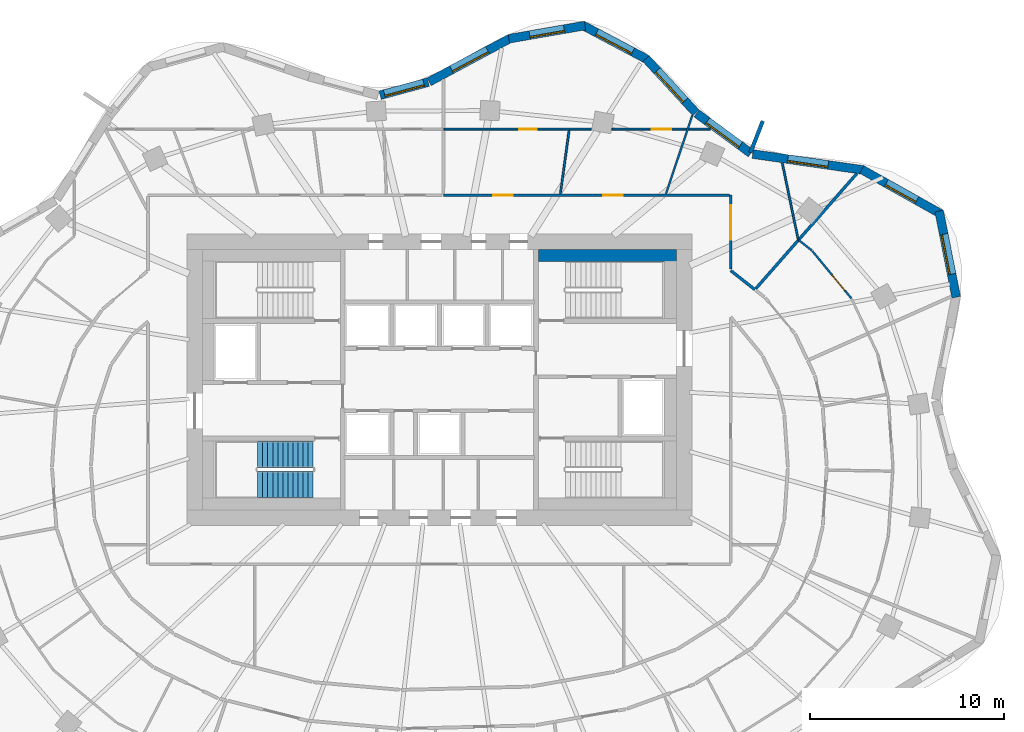
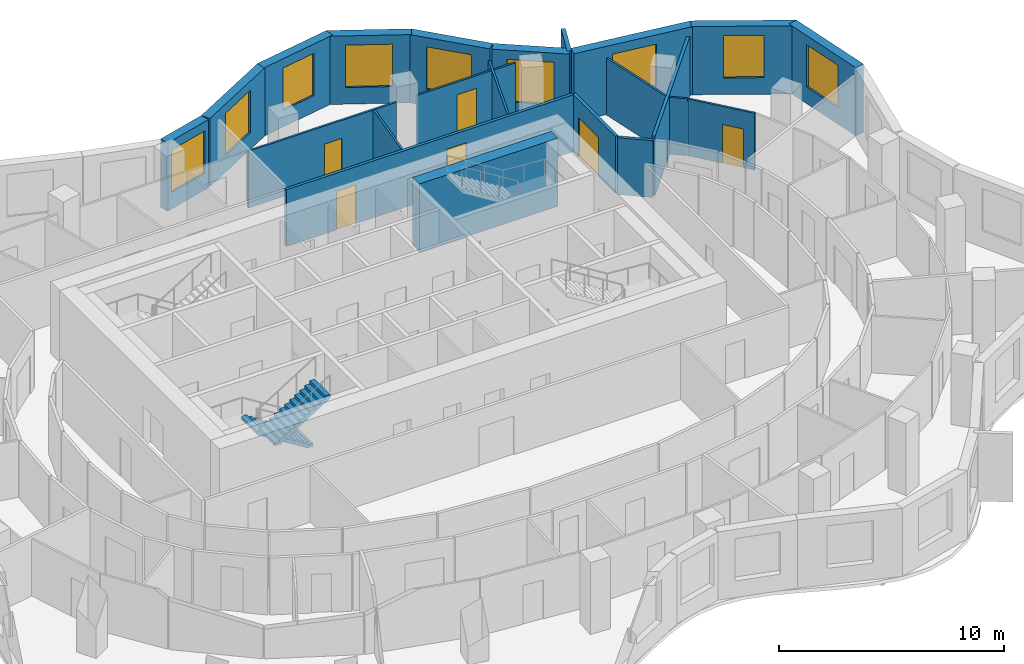
# One storey, part 9 of 11: 22 walls, 9 windows, 6 doors, 2 stair flights, 15 openings, 1 element without a shape of its own.
"""IFC4 building model written with IfcOpenShell, lengths in metres."""

from ifc_helpers import new_model, si_unit, direction, frame, frame_2d, origin, place, context, subcontext, project, spatial, polyline, rectangle, outline, extrude, material, layer, layer_set, type_object, element, fill, aggregate, save


model = new_model("IFC4")

# Units and contexts
model_context = context("Model", 3, precision=1e-05, world=origin(), true_north=direction((0.0, 1.0)))
body_context = subcontext(model_context, "Body", "Model", "MODEL_VIEW")
ifc_project = project(units=[si_unit("LENGTHUNIT", "METRE"), si_unit("AREAUNIT", "SQUARE_METRE"), si_unit("VOLUMEUNIT", "CUBIC_METRE"), si_unit("PLANEANGLEUNIT", "RADIAN"), si_unit("MASSUNIT", "GRAM", prefix="KILO")], contexts=[model_context])

# Site, building, storey
site_placement = place(None, origin())
site = spatial("IfcSite", under=ifc_project, at=site_placement, CompositionType="ELEMENT")
building_placement = place(site_placement, origin())
building = spatial("IfcBuilding", under=site, at=building_placement, Name="Rubra Terraces Tower", CompositionType="ELEMENT")
storey_placement = place(building_placement, frame((0.0, 0.0, 177.89990234375)))
storey = spatial("IfcBuildingStorey", under=building, at=storey_placement, Name="L43", CompositionType="ELEMENT", Elevation=177.89990234375)

# Wall, opening, window
ifc_material_1 = material(Name="Brick masonry red-brown", Category="masonry")
ifc_layer_1 = layer(ifc_material_1, 0.449951171875)
ifc_layer_set_1 = layer_set([ifc_layer_1], Name="Brick masonry red-brown")
wall_type_1 = type_object("IfcWallType", Name="Brick facade wall 450", PredefinedType="SOLIDWALL", material=ifc_layer_set_1)
wall_1_placement = place(storey_placement, frame((26.609619140625, 8.747802734375, 0.0), z_axis=(0.0, 0.0, 1.0), x_axis=(-0.193923166402, 0.981016720312, 0.0)))
wall_1 = element("IfcWall", 1, at=wall_1_placement, inside=storey, type_object=wall_type_1, Name="Facade wall L43 bay 3", PredefinedType="SOLIDWALL", context=body_context, shape_type="SweptSolid", body=[
    extrude(rectangle(XDim=4.518310546875, YDim=0.449951171875, at=frame_2d((2.25927734375, 0.0))), origin(), (0.0, 0.0, 1.0), 3.7001953125),
])
opening_1_placement = place(wall_1_placement, frame((1.209228515625, 0.0, 0.89990234375)))
opening_1 = element("IfcOpeningElement", 2, at=opening_1_placement, cuts=wall_1, Name="Opening W1B", PredefinedType="OPENING", context=body_context, shape_type="SweptSolid", body=[
    extrude(rectangle(XDim=2.10009765625, YDim=2.300048828125, at=frame_2d((1.050048828125, 1.14990234375))), frame((0.0, 0.23486328125, 0.0), z_axis=(0.0, -1.0, 0.0), x_axis=(1.0, 0.0, 0.0)), (0.0, 0.0, 1.0), 0.469970703125),
])
ifc_material_2 = material(Name="Clear glass in aluminium frame", Category="aluminium")
window_type_1 = type_object("IfcWindowType", Name="Fixed deep-set window tall storey 2100 x 2300", PartitioningType="SINGLE_PANEL", PredefinedType="WINDOW", material=ifc_material_2)
window_1_placement = place(opening_1_placement, origin())
window_1 = element("IfcWindow", 3, at=window_1_placement, inside=storey, type_object=window_type_1, Name="Window L43 bay 3", OverallHeight=2.300048828125, OverallWidth=2.10009765625, PartitioningType="SINGLE_PANEL", PredefinedType="WINDOW", context=body_context, shape_type="SweptSolid", body=[
    extrude(rectangle(XDim=2.10009765625, YDim=2.300048828125, at=frame_2d((1.050048828125, 1.14990234375))), frame((0.0, 0.135009765625, 0.0), z_axis=(0.0, -1.0, 0.0), x_axis=(1.0, 0.0, 0.0)), (0.0, 0.0, 1.0), 0.06005859375),
])
fill(opening_1, window_1)

wall_2_placement = place(storey_placement, frame((25.843994140625, 13.027587890625, 0.0), z_axis=(0.0, 0.0, 1.0), x_axis=(-0.872346398261, 0.488888291373, 0.0)))
wall_2 = element("IfcWall", 4, at=wall_2_placement, inside=storey, type_object=wall_type_1, Name="Facade wall L43 bay 4", PredefinedType="SOLIDWALL", context=body_context, shape_type="SweptSolid", body=[
    extrude(rectangle(XDim=4.696044921875, YDim=0.449951171875, at=frame_2d((2.34814453125, 0.0))), origin(), (0.0, 0.0, 1.0), 3.7001953125),
])
opening_2_placement = place(wall_2_placement, frame((1.447998046875, 0.0, 0.89990234375)))
opening_2 = element("IfcOpeningElement", 5, at=opening_2_placement, cuts=wall_2, Name="Opening W6B", PredefinedType="OPENING", context=body_context, shape_type="SweptSolid", body=[
    extrude(rectangle(XDim=1.800048828125, YDim=2.300048828125, at=frame_2d((0.89990234375, 1.14990234375))), frame((0.0, 0.23486328125, 0.0), z_axis=(0.0, -1.0, 0.0), x_axis=(1.0, 0.0, 0.0)), (0.0, 0.0, 1.0), 0.469970703125),
])
window_type_2 = type_object("IfcWindowType", Name="Fixed deep-set window at wind fin tall storey 1800 x 2300", PartitioningType="SINGLE_PANEL", PredefinedType="WINDOW", material=ifc_material_2)
window_2_placement = place(opening_2_placement, origin())
window_2 = element("IfcWindow", 6, at=window_2_placement, inside=storey, type_object=window_type_2, Name="Window L43 bay 4", OverallHeight=2.300048828125, OverallWidth=1.800048828125, PartitioningType="SINGLE_PANEL", PredefinedType="WINDOW", context=body_context, shape_type="SweptSolid", body=[
    extrude(rectangle(XDim=1.800048828125, YDim=2.300048828125, at=frame_2d((0.89990234375, 1.14990234375))), frame((0.0, 0.135009765625, 0.0), z_axis=(0.0, -1.0, 0.0), x_axis=(1.0, 0.0, 0.0)), (0.0, 0.0, 1.0), 0.06005859375),
])
fill(opening_2, window_2)

wall_3_placement = place(storey_placement, frame((21.8251953125, 15.297119140625, 0.0), z_axis=(0.0, 0.0, 1.0), x_axis=(-0.98971474215, 0.143054986527, 0.0)))
wall_3 = element("IfcWall", 7, at=wall_3_placement, inside=storey, type_object=wall_type_1, Name="Facade wall L43 bay 5", PredefinedType="SOLIDWALL", context=body_context, shape_type="SweptSolid", body=[
    extrude(rectangle(XDim=5.7529296875, YDim=0.449951171875, at=frame_2d((2.87646484375, 0.0))), origin(), (0.0, 0.0, 1.0), 3.7001953125),
])
opening_3_placement = place(wall_3_placement, frame((1.826416015625, 0.0, 0.89990234375)))
opening_3 = element("IfcOpeningElement", 8, at=opening_3_placement, cuts=wall_3, Name="Opening W1B", PredefinedType="OPENING", context=body_context, shape_type="SweptSolid", body=[
    extrude(rectangle(XDim=2.10009765625, YDim=2.300048828125, at=frame_2d((1.050048828125, 1.14990234375))), frame((0.0, 0.23486328125, 0.0), z_axis=(0.0, -1.0, 0.0), x_axis=(1.0, 0.0, 0.0)), (0.0, 0.0, 1.0), 0.469970703125),
])
window_3_placement = place(opening_3_placement, origin())
window_3 = element("IfcWindow", 9, at=window_3_placement, inside=storey, type_object=window_type_1, Name="Window L43 bay 5", OverallHeight=2.300048828125, OverallWidth=2.10009765625, PartitioningType="SINGLE_PANEL", PredefinedType="WINDOW", context=body_context, shape_type="SweptSolid", body=[
    extrude(rectangle(XDim=2.10009765625, YDim=2.300048828125, at=frame_2d((1.050048828125, 1.14990234375))), frame((0.0, 0.135009765625, 0.0), z_axis=(0.0, -1.0, 0.0), x_axis=(1.0, 0.0, 0.0)), (0.0, 0.0, 1.0), 0.06005859375),
])
fill(opening_3, window_3)

wall_4_placement = place(storey_placement, frame((16.03564453125, 16.15771484375, 0.0), z_axis=(0.0, 0.0, 1.0), x_axis=(-0.805181432967, 0.593028549064, 0.0)))
wall_4 = element("IfcWall", 10, at=wall_4_placement, inside=storey, type_object=wall_type_1, Name="Facade wall L43 bay 6", PredefinedType="SOLIDWALL", context=body_context, shape_type="SweptSolid", body=[
    extrude(rectangle(XDim=3.468505859375, YDim=0.449951171875, at=frame_2d((1.734375, 0.0))), origin(), (0.0, 0.0, 1.0), 3.7001953125),
])
opening_4_placement = place(wall_4_placement, frame((0.684326171875, 0.0, 0.89990234375)))
opening_4 = element("IfcOpeningElement", 11, at=opening_4_placement, cuts=wall_4, Name="Opening W1B", PredefinedType="OPENING", context=body_context, shape_type="SweptSolid", body=[
    extrude(rectangle(XDim=2.10009765625, YDim=2.300048828125, at=frame_2d((1.050048828125, 1.14990234375))), frame((0.0, 0.23486328125, 0.0), z_axis=(0.0, -1.0, 0.0), x_axis=(1.0, 0.0, 0.0)), (0.0, 0.0, 1.0), 0.469970703125),
])
window_4_placement = place(opening_4_placement, origin())
window_4 = element("IfcWindow", 12, at=window_4_placement, inside=storey, type_object=window_type_1, Name="Window L43 bay 6", OverallHeight=2.300048828125, OverallWidth=2.10009765625, PartitioningType="SINGLE_PANEL", PredefinedType="WINDOW", context=body_context, shape_type="SweptSolid", body=[
    extrude(rectangle(XDim=2.10009765625, YDim=2.300048828125, at=frame_2d((1.050048828125, 1.14990234375))), frame((0.0, 0.135009765625, 0.0), z_axis=(0.0, -1.0, 0.0), x_axis=(1.0, 0.0, 0.0)), (0.0, 0.0, 1.0), 0.06005859375),
])
fill(opening_4, window_4)

wall_5_placement = place(storey_placement, frame((13.20947265625, 18.242919921875, 0.0), z_axis=(0.0, 0.0, 1.0), x_axis=(-0.677612152497, 0.735419452278, 0.0)))
wall_5 = element("IfcWall", 13, at=wall_5_placement, inside=storey, type_object=wall_type_1, Name="Facade wall L43 bay 7", PredefinedType="SOLIDWALL", context=body_context, shape_type="SweptSolid", body=[
    extrude(rectangle(XDim=3.796875, YDim=0.449951171875, at=frame_2d((1.8984375, 0.0))), origin(), (0.0, 0.0, 1.0), 3.7001953125),
])
opening_5_placement = place(wall_5_placement, frame((0.848388671875, 0.0, 0.89990234375)))
opening_5 = element("IfcOpeningElement", 14, at=opening_5_placement, cuts=wall_5, Name="Opening W1B", PredefinedType="OPENING", context=body_context, shape_type="SweptSolid", body=[
    extrude(rectangle(XDim=2.10009765625, YDim=2.300048828125, at=frame_2d((1.050048828125, 1.14990234375))), frame((0.0, 0.23486328125, 0.0), z_axis=(0.0, -1.0, 0.0), x_axis=(1.0, 0.0, 0.0)), (0.0, 0.0, 1.0), 0.469970703125),
])
window_5_placement = place(opening_5_placement, origin())
window_5 = element("IfcWindow", 15, at=window_5_placement, inside=storey, type_object=window_type_1, Name="Window L43 bay 7", OverallHeight=2.300048828125, OverallWidth=2.10009765625, PartitioningType="SINGLE_PANEL", PredefinedType="WINDOW", context=body_context, shape_type="SweptSolid", body=[
    extrude(rectangle(XDim=2.10009765625, YDim=2.300048828125, at=frame_2d((1.050048828125, 1.14990234375))), frame((0.0, 0.135009765625, 0.0), z_axis=(0.0, -1.0, 0.0), x_axis=(1.0, 0.0, 0.0)), (0.0, 0.0, 1.0), 0.06005859375),
])
fill(opening_5, window_5)

wall_6_placement = place(storey_placement, frame((10.692626953125, 20.9931640625, 0.0), z_axis=(0.0, 0.0, 1.0), x_axis=(-0.883817790726, 0.46783128668, 0.0)))
wall_6 = element("IfcWall", 16, at=wall_6_placement, inside=storey, type_object=wall_type_1, Name="Facade wall L43 bay 8", PredefinedType="SOLIDWALL", context=body_context, shape_type="SweptSolid", body=[
    extrude(rectangle(XDim=3.776611328125, YDim=0.449951171875, at=frame_2d((1.88818359375, 0.0))), origin(), (0.0, 0.0, 1.0), 3.7001953125),
])
opening_6_placement = place(wall_6_placement, frame((0.83837890625, 0.0, 0.89990234375)))
opening_6 = element("IfcOpeningElement", 17, at=opening_6_placement, cuts=wall_6, Name="Opening W1B", PredefinedType="OPENING", context=body_context, shape_type="SweptSolid", body=[
    extrude(rectangle(XDim=2.10009765625, YDim=2.300048828125, at=frame_2d((1.050048828125, 1.14990234375))), frame((0.0, 0.23486328125, 0.0), z_axis=(0.0, -1.0, 0.0), x_axis=(1.0, 0.0, 0.0)), (0.0, 0.0, 1.0), 0.469970703125),
])
window_6_placement = place(opening_6_placement, origin())
window_6 = element("IfcWindow", 18, at=window_6_placement, inside=storey, type_object=window_type_1, Name="Window L43 bay 8", OverallHeight=2.300048828125, OverallWidth=2.10009765625, PartitioningType="SINGLE_PANEL", PredefinedType="WINDOW", context=body_context, shape_type="SweptSolid", body=[
    extrude(rectangle(XDim=2.10009765625, YDim=2.300048828125, at=frame_2d((1.050048828125, 1.14990234375))), frame((0.0, 0.135009765625, 0.0), z_axis=(0.0, -1.0, 0.0), x_axis=(1.0, 0.0, 0.0)), (0.0, 0.0, 1.0), 0.06005859375),
])
fill(opening_6, window_6)

wall_7_placement = place(storey_placement, frame((7.49853515625, 22.7373046875, 0.0), z_axis=(0.0, 0.0, 1.0), x_axis=(-0.98521220506, -0.171338585849, 0.0)))
wall_7 = element("IfcWall", 19, at=wall_7_placement, inside=storey, type_object=wall_type_1, Name="Facade wall L43 bay 9", PredefinedType="SOLIDWALL", context=body_context, shape_type="SweptSolid", body=[
    extrude(rectangle(XDim=3.979736328125, YDim=0.449951171875, at=frame_2d((1.98974609375, 0.0))), origin(), (0.0, 0.0, 1.0), 3.7001953125),
])
opening_7_placement = place(wall_7_placement, frame((1.08984375, 0.0, 0.89990234375)))
opening_7 = element("IfcOpeningElement", 20, at=opening_7_placement, cuts=wall_7, Name="Opening W6B", PredefinedType="OPENING", context=body_context, shape_type="SweptSolid", body=[
    extrude(rectangle(XDim=1.800048828125, YDim=2.300048828125, at=frame_2d((0.89990234375, 1.14990234375))), frame((0.0, 0.23486328125, 0.0), z_axis=(0.0, -1.0, 0.0), x_axis=(1.0, 0.0, 0.0)), (0.0, 0.0, 1.0), 0.469970703125),
])
window_7_placement = place(opening_7_placement, origin())
window_7 = element("IfcWindow", 21, at=window_7_placement, inside=storey, type_object=window_type_2, Name="Window L43 bay 9", OverallHeight=2.300048828125, OverallWidth=1.800048828125, PartitioningType="SINGLE_PANEL", PredefinedType="WINDOW", context=body_context, shape_type="SweptSolid", body=[
    extrude(rectangle(XDim=1.800048828125, YDim=2.300048828125, at=frame_2d((0.89990234375, 1.14990234375))), frame((0.0, 0.135009765625, 0.0), z_axis=(0.0, -1.0, 0.0), x_axis=(1.0, 0.0, 0.0)), (0.0, 0.0, 1.0), 0.06005859375),
])
fill(opening_7, window_7)

wall_8_placement = place(storey_placement, frame((3.6455078125, 22.07861328125, 0.0), z_axis=(0.0, 0.0, 1.0), x_axis=(-0.881279133897, -0.472596115259, 0.0)))
wall_8 = element("IfcWall", 22, at=wall_8_placement, inside=storey, type_object=wall_type_1, Name="Facade wall L43 bay 10", PredefinedType="SOLIDWALL", context=body_context, shape_type="SweptSolid", body=[
    extrude(rectangle(XDim=4.736572265625, YDim=0.449951171875, at=frame_2d((2.3681640625, 0.0))), origin(), (0.0, 0.0, 1.0), 3.7001953125),
])
opening_8_placement = place(wall_8_placement, frame((1.318115234375, 0.0, 0.89990234375)))
opening_8 = element("IfcOpeningElement", 23, at=opening_8_placement, cuts=wall_8, Name="Opening W1B", PredefinedType="OPENING", context=body_context, shape_type="SweptSolid", body=[
    extrude(rectangle(XDim=2.10009765625, YDim=2.300048828125, at=frame_2d((1.050048828125, 1.14990234375))), frame((0.0, 0.23486328125, 0.0), z_axis=(0.0, -1.0, 0.0), x_axis=(1.0, 0.0, 0.0)), (0.0, 0.0, 1.0), 0.469970703125),
])
window_8_placement = place(opening_8_placement, origin())
window_8 = element("IfcWindow", 24, at=window_8_placement, inside=storey, type_object=window_type_1, Name="Window L43 bay 10", OverallHeight=2.300048828125, OverallWidth=2.10009765625, PartitioningType="SINGLE_PANEL", PredefinedType="WINDOW", context=body_context, shape_type="SweptSolid", body=[
    extrude(rectangle(XDim=2.10009765625, YDim=2.300048828125, at=frame_2d((1.050048828125, 1.14990234375))), frame((0.0, 0.135009765625, 0.0), z_axis=(0.0, -1.0, 0.0), x_axis=(1.0, 0.0, 0.0)), (0.0, 0.0, 1.0), 0.06005859375),
])
fill(opening_8, window_8)

wall_9_placement = place(storey_placement, frame((-0.576171875, 19.8212890625, 0.0), z_axis=(0.0, 0.0, 1.0), x_axis=(-0.965009398019, -0.262215296532, 0.0)))
wall_9 = element("IfcWall", 25, at=wall_9_placement, inside=storey, type_object=wall_type_1, Name="Facade wall L43 bay 11", PredefinedType="SOLIDWALL", context=body_context, shape_type="SweptSolid", body=[
    extrude(rectangle(XDim=2.565185546875, YDim=0.449951171875, at=frame_2d((1.28271484375, 0.0))), origin(), (0.0, 0.0, 1.0), 3.7001953125),
])
opening_9_placement = place(wall_9_placement, frame((0.232666015625, 0.0, 0.89990234375)))
opening_9 = element("IfcOpeningElement", 26, at=opening_9_placement, cuts=wall_9, Name="Opening W1B", PredefinedType="OPENING", context=body_context, shape_type="SweptSolid", body=[
    extrude(rectangle(XDim=2.10009765625, YDim=2.300048828125, at=frame_2d((1.050048828125, 1.14990234375))), frame((0.0, 0.23486328125, 0.0), z_axis=(0.0, -1.0, 0.0), x_axis=(1.0, 0.0, 0.0)), (0.0, 0.0, 1.0), 0.469970703125),
])
window_9_placement = place(opening_9_placement, origin())
window_9 = element("IfcWindow", 27, at=window_9_placement, inside=storey, type_object=window_type_1, Name="Window L43 bay 11", OverallHeight=2.300048828125, OverallWidth=2.10009765625, PartitioningType="SINGLE_PANEL", PredefinedType="WINDOW", context=body_context, shape_type="SweptSolid", body=[
    extrude(rectangle(XDim=2.10009765625, YDim=2.300048828125, at=frame_2d((1.050048828125, 1.14990234375))), frame((0.0, 0.135009765625, 0.0), z_axis=(0.0, -1.0, 0.0), x_axis=(1.0, 0.0, 0.0)), (0.0, 0.0, 1.0), 0.06005859375),
])
fill(opening_9, window_9)

# Walls
ifc_layer_2 = layer(ifc_material_1, 0.199951171875)
ifc_layer_set_2 = layer_set([ifc_layer_2], Name="Brick masonry red-brown")
wall_type_2 = type_object("IfcWallType", Name="Brick wind fin 200", PredefinedType="SOLIDWALL", material=ifc_layer_set_2)
wall_10_placement = place(storey_placement, frame((16.01904296875, 16.195068359375, 0.0), z_axis=(0.0, 0.0, 1.0), x_axis=(0.362641522028, 0.931928713208, 0.0)))
element("IfcWall", 28, at=wall_10_placement, inside=storey, type_object=wall_type_2, Name="Wind fin L43 4", PredefinedType="SOLIDWALL", context=body_context, shape_type="SweptSolid", body=[
    extrude(rectangle(XDim=1.749755859375, YDim=0.199951171875, at=frame_2d((0.875, 0.0))), origin(), (0.0, 0.0, 1.0), 3.7001953125),
])
ifc_material_3 = material(Name="Plasterboard on steel stud, mineral wool infill", Category="steel")
ifc_layer_3 = layer(ifc_material_3, 0.14990234375)
ifc_layer_set_3 = layer_set([ifc_layer_3], Name="Plasterboard on steel stud, mineral wool infill")
wall_type_3 = type_object("IfcWallType", Name="CORRIDOR PARTITION 150", PredefinedType="PARTITIONING", material=ifc_layer_set_3)
wall_11_placement = place(storey_placement, frame((16.246337890625, 9.13818359375, 0.0), z_axis=(0.0, 0.0, 1.0), x_axis=(-0.785126783061, 0.619335074512, 0.0)))
element("IfcWall", 29, at=wall_11_placement, inside=storey, type_object=wall_type_3, Name="PARTITION", PredefinedType="PARTITIONING", context=body_context, shape_type="SweptSolid", body=[
    extrude(rectangle(XDim=1.58740234375, YDim=0.14990234375, at=frame_2d((0.793701171875, 0.0))), origin(), (0.0, 0.0, 1.0), 3.083984375),
])

# Wall, opening, door
wall_12_placement = place(storey_placement, frame((15.0, 10.1962890625, 0.0), z_axis=(0.0, 0.0, 1.0), x_axis=(0.0, 1.0, 0.0)))
wall_12 = element("IfcWall", 30, at=wall_12_placement, inside=storey, type_object=wall_type_3, Name="PARTITION", PredefinedType="PARTITIONING", context=body_context, shape_type="SweptSolid", body=[
    extrude(rectangle(XDim=3.8037109375, YDim=0.14990234375, at=frame_2d((1.90185546875, 0.0))), origin(), (0.0, 0.0, 1.0), 3.083984375),
])
opening_10_placement = place(wall_12_placement, frame((1.5, 0.0, 0.0)))
opening_10 = element("IfcOpeningElement", 31, at=opening_10_placement, cuts=wall_12, Name="Opening 43-101", PredefinedType="OPENING", context=body_context, shape_type="SweptSolid", body=[
    extrude(rectangle(XDim=1.800048828125, YDim=2.10009765625, at=frame_2d((0.89990234375, 1.050048828125))), frame((0.0, 0.0849609375, 0.0), z_axis=(0.0, -1.0, 0.0), x_axis=(1.0, 0.0, 0.0)), (0.0, 0.0, 1.0), 0.169921875),
])
ifc_material_4 = material(Name="Painted timber door leaf, double", Category="wood")
door_type_1 = type_object("IfcDoorType", Name="ROOM DOUBLE DOOR 1800 X 2100", OperationType="DOUBLE_DOOR_SINGLE_SWING", PredefinedType="DOOR", material=ifc_material_4)
door_1_placement = place(opening_10_placement, origin())
door_1 = element("IfcDoor", 32, at=door_1_placement, inside=storey, type_object=door_type_1, Name="DOOR 43-101", OperationType="DOUBLE_DOOR_SINGLE_SWING", OverallHeight=2.10009765625, OverallWidth=1.800048828125, PredefinedType="DOOR", context=body_context, shape_type="SweptSolid", body=[
    extrude(rectangle(XDim=1.800048828125, YDim=2.10009765625, at=frame_2d((0.89990234375, 1.050048828125))), frame((0.0, 0.02490234375, 0.0), z_axis=(0.0, -1.0, 0.0), x_axis=(1.0, 0.0, 0.0)), (0.0, 0.0, 1.0), 0.050048828125),
])
fill(opening_10, door_1)

# Wall, openings, doors
wall_13_placement = place(storey_placement, frame((14.925048828125, 14.0, 0.0), z_axis=(0.0, 0.0, 1.0), x_axis=(-1.0, 0.0, 0.0)))
wall_13 = element("IfcWall", 33, at=wall_13_placement, inside=storey, type_object=wall_type_3, Name="PARTITION", PredefinedType="PARTITIONING", context=body_context, shape_type="SweptSolid", body=[
    extrude(rectangle(XDim=14.724853515625, YDim=0.14990234375, at=frame_2d((7.3623046875, 0.0))), origin(), (0.0, 0.0, 1.0), 3.083984375),
])
opening_11_placement = place(wall_13_placement, frame((5.4951171875, 0.0, 0.0)))
opening_11 = element("IfcOpeningElement", 34, at=opening_11_placement, cuts=wall_13, Name="Opening 43-102", PredefinedType="OPENING", context=body_context, shape_type="SweptSolid", body=[
    extrude(rectangle(XDim=1.0, YDim=2.39990234375, at=frame_2d((0.5, 1.199951171875))), frame((0.0, 0.0849609375, 0.0), z_axis=(0.0, -1.0, 0.0), x_axis=(1.0, 0.0, 0.0)), (0.0, 0.0, 1.0), 0.169921875),
])
opening_12_placement = place(wall_13_placement, frame((11.14990234375, 0.0, 0.0)))
opening_12 = element("IfcOpeningElement", 35, at=opening_12_placement, cuts=wall_13, Name="Opening 43-133", PredefinedType="OPENING", context=body_context, shape_type="SweptSolid", body=[
    extrude(rectangle(XDim=1.0, YDim=2.10009765625, at=frame_2d((0.5, 1.050048828125))), frame((0.0, 0.0849609375, 0.0), z_axis=(0.0, -1.0, 0.0), x_axis=(1.0, 0.0, 0.0)), (0.0, 0.0, 1.0), 0.169921875),
])
ifc_material_5 = material(Name="Glazed aluminium meeting door leaf", Category="aluminium")
door_type_2 = type_object("IfcDoorType", Name="MEETING ROOM GLAZED DOOR 1000 X 2400", OperationType="SINGLE_SWING_LEFT", PredefinedType="DOOR", material=ifc_material_5)
door_2_placement = place(opening_11_placement, origin())
door_2 = element("IfcDoor", 36, at=door_2_placement, inside=storey, type_object=door_type_2, Name="DOOR 43-102", OperationType="SINGLE_SWING_RIGHT", OverallHeight=2.39990234375, OverallWidth=1.0, PredefinedType="DOOR", context=body_context, shape_type="SweptSolid", body=[
    extrude(rectangle(XDim=1.0, YDim=2.39990234375, at=frame_2d((0.5, 1.199951171875))), frame((0.0, 0.02490234375, 0.0), z_axis=(0.0, -1.0, 0.0), x_axis=(1.0, 0.0, 0.0)), (0.0, 0.0, 1.0), 0.050048828125),
])
fill(opening_11, door_2)
ifc_material_6 = material(Name="Painted timber door leaf", Category="wood")
door_type_3 = type_object("IfcDoorType", Name="ROOM DOOR 1000 X 2100", OperationType="SINGLE_SWING_LEFT", PredefinedType="DOOR", material=ifc_material_6)
door_3_placement = place(opening_12_placement, origin())
door_3 = element("IfcDoor", 37, at=door_3_placement, inside=storey, type_object=door_type_3, Name="DOOR 43-133", OperationType="SINGLE_SWING_RIGHT", OverallHeight=2.10009765625, OverallWidth=1.0, PredefinedType="DOOR", context=body_context, shape_type="SweptSolid", body=[
    extrude(rectangle(XDim=1.0, YDim=2.10009765625, at=frame_2d((0.5, 1.050048828125))), frame((0.0, 0.02490234375, 0.0), z_axis=(0.0, -1.0, 0.0), x_axis=(1.0, 0.0, 0.0)), (0.0, 0.0, 1.0), 0.050048828125),
])
fill(opening_12, door_3)

# Wall
ifc_material_7 = material(Name="Concrete C40", Category="concrete")
ifc_layer_4 = layer(ifc_material_7, 0.60009765625)
ifc_layer_set_4 = layer_set([ifc_layer_4], Name="Concrete C40")
wall_type_4 = type_object("IfcWallType", Name="Core lining wall 600 concrete", PredefinedType="SOLIDWALL", material=ifc_layer_set_4)
wall_14_placement = place(storey_placement, frame((12.199951171875, 10.89990234375, 0.0), z_axis=(0.0, 0.0, 1.0), x_axis=(-1.0, 0.0, 0.0)))
element("IfcWall", 38, at=wall_14_placement, inside=storey, type_object=wall_type_4, Name="CORE LINING WALL L43", PredefinedType="SOLIDWALL", context=body_context, shape_type="SweptSolid", body=[
    extrude(rectangle(XDim=7.099853515625, YDim=0.60009765625, at=frame_2d((3.5498046875, 0.0))), origin(), (0.0, 0.0, 1.0), 3.7001953125),
])

# Wall, opening, door
ifc_material_8 = material(Name="Plasterboard on steel stud", Category="steel")
ifc_layer_5 = layer(ifc_material_8, 0.10009765625)
ifc_layer_set_5 = layer_set([ifc_layer_5], Name="Plasterboard on steel stud")
wall_type_5 = type_object("IfcWallType", Name="ROOM PARTITION 100", PredefinedType="PARTITIONING", material=ifc_layer_set_5)
wall_15_placement = place(storey_placement, frame((0.228271484375, 17.39990234375, 0.0), z_axis=(0.0, 0.0, 1.0), x_axis=(1.0, 0.0, 0.0)))
wall_15 = element("IfcWall", 39, at=wall_15_placement, inside=storey, type_object=wall_type_5, Name="PARTITION", PredefinedType="PARTITIONING", context=body_context, shape_type="SweptSolid", body=[
    extrude(rectangle(XDim=7.59619140625, YDim=0.10009765625, at=frame_2d((3.798095703125, 0.0))), origin(), (0.0, 0.0, 1.0), 3.083984375),
])
opening_13_placement = place(wall_15_placement, frame((3.89404296875, 0.0, 0.0)))
opening_13 = element("IfcOpeningElement", 40, at=opening_13_placement, cuts=wall_15, Name="Opening 43-103", PredefinedType="OPENING", context=body_context, shape_type="SweptSolid", body=[
    extrude(rectangle(XDim=0.89990234375, YDim=2.10009765625, at=frame_2d((0.449951171875, 1.050048828125))), frame((0.0, 0.06005859375, 0.0), z_axis=(0.0, -1.0, 0.0), x_axis=(1.0, 0.0, 0.0)), (0.0, 0.0, 1.0), 0.1201171875),
])
door_type_4 = type_object("IfcDoorType", Name="ROOM DOOR 900 X 2100", OperationType="SINGLE_SWING_LEFT", PredefinedType="DOOR", material=ifc_material_6)
door_4_placement = place(opening_13_placement, origin())
door_4 = element("IfcDoor", 41, at=door_4_placement, inside=storey, type_object=door_type_4, Name="DOOR 43-103", OperationType="SINGLE_SWING_LEFT", OverallHeight=2.10009765625, OverallWidth=0.89990234375, PredefinedType="DOOR", context=body_context, shape_type="SweptSolid", body=[
    extrude(rectangle(XDim=0.89990234375, YDim=2.10009765625, at=frame_2d((0.449951171875, 1.050048828125))), frame((0.0, 0.02490234375, 0.0), z_axis=(0.0, -1.0, 0.0), x_axis=(1.0, 0.0, 0.0)), (0.0, 0.0, 1.0), 0.050048828125),
])
fill(opening_13, door_4)

wall_16_placement = place(storey_placement, frame((8.8837890625, 17.39990234375, 0.0), z_axis=(0.0, 0.0, 1.0), x_axis=(1.0, 0.0, 0.0)))
wall_16 = element("IfcWall", 42, at=wall_16_placement, inside=storey, type_object=wall_type_5, Name="PARTITION", PredefinedType="PARTITIONING", context=body_context, shape_type="SweptSolid", body=[
    extrude(rectangle(XDim=5.05224609375, YDim=0.10009765625, at=frame_2d((2.526123046875, 0.0))), origin(), (0.0, 0.0, 1.0), 3.083984375),
])
opening_14_placement = place(wall_16_placement, frame((2.050048828125, 0.0, 0.0)))
opening_14 = element("IfcOpeningElement", 43, at=opening_14_placement, cuts=wall_16, Name="Opening 43-132", PredefinedType="OPENING", context=body_context, shape_type="SweptSolid", body=[
    extrude(rectangle(XDim=1.0, YDim=2.39990234375, at=frame_2d((0.5, 1.199951171875))), frame((0.0, 0.06005859375, 0.0), z_axis=(0.0, -1.0, 0.0), x_axis=(1.0, 0.0, 0.0)), (0.0, 0.0, 1.0), 0.1201171875),
])
door_5_placement = place(opening_14_placement, origin())
door_5 = element("IfcDoor", 44, at=door_5_placement, inside=storey, type_object=door_type_2, Name="DOOR 43-132", OperationType="SINGLE_SWING_LEFT", OverallHeight=2.39990234375, OverallWidth=1.0, PredefinedType="DOOR", context=body_context, shape_type="SweptSolid", body=[
    extrude(rectangle(XDim=1.0, YDim=2.39990234375, at=frame_2d((0.5, 1.199951171875))), frame((0.0, 0.02490234375, 0.0), z_axis=(0.0, -1.0, 0.0), x_axis=(1.0, 0.0, 0.0)), (0.0, 0.0, 1.0), 0.050048828125),
])
fill(opening_14, door_5)

# Walls
wall_17_placement = place(storey_placement, frame((17.656494140625, 15.652099609375, 0.0), z_axis=(0.0, 0.0, 1.0), x_axis=(0.203733969948, -0.979026286414, 0.0)))
element("IfcWall", 45, at=wall_17_placement, inside=storey, type_object=wall_type_5, Name="PARTITION", PredefinedType="PARTITIONING", context=body_context, shape_type="SweptSolid", body=[
    extrude(rectangle(XDim=4.027587890625, YDim=0.10009765625, at=frame_2d((2.013671875, 0.0))), origin(), (0.0, 0.0, 1.0), 3.083984375),
])
wall_18_placement = place(storey_placement, frame((11.663818359375, 14.071044921875, 0.0), z_axis=(0.0, 0.0, 1.0), x_axis=(0.319050122348, 0.947737843198, 0.0)))
element("IfcWall", 46, at=wall_18_placement, inside=storey, type_object=wall_type_5, Name="PARTITION", PredefinedType="PARTITIONING", context=body_context, shape_type="SweptSolid", body=[
    extrude(rectangle(XDim=4.25390625, YDim=0.10009765625, at=frame_2d((2.126953125, 0.0))), origin(), (0.0, 0.0, 1.0), 3.083984375),
])
wall_19_placement = place(storey_placement, frame((6.230712890625, 14.07421875, 0.0), z_axis=(0.0, 0.0, 1.0), x_axis=(0.135982862237, 0.990711189589, 0.0)))
element("IfcWall", 47, at=wall_19_placement, inside=storey, type_object=wall_type_5, Name="PARTITION", PredefinedType="PARTITIONING", context=body_context, shape_type="SweptSolid", body=[
    extrude(rectangle(XDim=3.30712890625, YDim=0.10009765625, at=frame_2d((1.653564453125, 0.0))), origin(), (0.0, 0.0, 1.0), 3.083984375),
])
wall_20_placement = place(storey_placement, frame((18.50830078125, 11.68408203125, 0.0), z_axis=(0.0, 0.0, 1.0), x_axis=(0.785067093858, -0.619410734603, 0.0)))
element("IfcWall", 48, at=wall_20_placement, inside=storey, type_object=wall_type_5, Name="PARTITION", PredefinedType="PARTITIONING", context=body_context, shape_type="SweptSolid", body=[
    extrude(rectangle(XDim=0.847412109375, YDim=0.10009765625, at=frame_2d((0.423828125, 0.0))), origin(), (0.0, 0.0, 1.0), 3.083984375),
])

# Wall, opening, door
wall_21_placement = place(storey_placement, frame((19.20556640625, 11.12060546875, 0.0), z_axis=(0.0, 0.0, 1.0), x_axis=(0.636597206989, -0.771196470462, 0.0)))
wall_21 = element("IfcWall", 49, at=wall_21_placement, inside=storey, type_object=wall_type_5, Name="PARTITION", PredefinedType="PARTITIONING", context=body_context, shape_type="SweptSolid", body=[
    extrude(rectangle(XDim=3.15234375, YDim=0.10009765625, at=frame_2d((1.576171875, 0.0))), origin(), (0.0, 0.0, 1.0), 3.083984375),
])
opening_15_placement = place(wall_21_placement, frame((1.618896484375, 0.0, 0.0)))
opening_15 = element("IfcOpeningElement", 50, at=opening_15_placement, cuts=wall_21, Name="Opening 43-126", PredefinedType="OPENING", context=body_context, shape_type="SweptSolid", body=[
    extrude(rectangle(XDim=1.0, YDim=2.10009765625, at=frame_2d((0.5, 1.050048828125))), frame((0.0, 0.06005859375, 0.0), z_axis=(0.0, -1.0, 0.0), x_axis=(1.0, 0.0, 0.0)), (0.0, 0.0, 1.0), 0.1201171875),
])
door_6_placement = place(opening_15_placement, origin())
door_6 = element("IfcDoor", 51, at=door_6_placement, inside=storey, type_object=door_type_3, Name="DOOR 43-126", OperationType="SINGLE_SWING_LEFT", OverallHeight=2.10009765625, OverallWidth=1.0, PredefinedType="DOOR", context=body_context, shape_type="SweptSolid", body=[
    extrude(rectangle(XDim=1.0, YDim=2.10009765625, at=frame_2d((0.5, 1.050048828125))), frame((0.0, 0.02490234375, 0.0), z_axis=(0.0, -1.0, 0.0), x_axis=(1.0, 0.0, 0.0)), (0.0, 0.0, 1.0), 0.050048828125),
])
fill(opening_15, door_6)

# Wall
ifc_layer_6 = layer(ifc_material_8, 0.14990234375)
ifc_layer_set_6 = layer_set([ifc_layer_6], Name="Plasterboard on steel stud")
wall_type_6 = type_object("IfcWallType", Name="ROOM PARTITION 150", PredefinedType="PARTITIONING", material=ifc_layer_set_6)
wall_22_placement = place(storey_placement, frame((21.492919921875, 15.11376953125, 0.0), z_axis=(0.0, 0.0, 1.0), x_axis=(-0.659778549164, -0.751460089467, 0.0)))
element("IfcWall", 52, at=wall_22_placement, inside=storey, type_object=wall_type_6, Name="PARTITION", PredefinedType="PARTITIONING", context=body_context, shape_type="SweptSolid", body=[
    extrude(rectangle(XDim=7.876953125, YDim=0.14990234375, at=frame_2d((3.9384765625, 0.0))), origin(), (0.0, 0.0, 1.0), 3.234130859375),
])

# Stair, stair flights
stair_type = type_object("IfcStairType", Name="Core stair 1400", PredefinedType="HALF_TURN_STAIR", material=ifc_material_7)
stair_placement = place(storey_placement, origin())
stair = element("IfcStair", 53, at=stair_placement, inside=storey, type_object=stair_type, Name="L43 Exit stair S1", PredefinedType="HALF_TURN_STAIR")
stair_flight_type = type_object("IfcStairFlightType", Name="Core stair flight 1400", PredefinedType="STRAIGHT", material=ifc_material_7)
stair_flight_1_placement = place(storey_placement, frame((-6.5, 0.64990234375, 0.0), z_axis=(0.0, 0.0, 1.0), x_axis=(-1.0, 0.0, 0.0)))
stair_flight_1 = element("IfcStairFlight", 54, at=stair_flight_1_placement, type_object=stair_flight_type, Name="S1 flight 1", NumberOfRisers=12, NumberOfTreads=11, PredefinedType="STRAIGHT", RiserHeight=0.1625, TreadLength=0.26, context=body_context, shape_type="SweptSolid", body=[
    extrude(outline(polyline([(0.0, 0.0), (0.0, 0.16259765625), (0.260009765625, 0.16259765625), (0.260009765625, 0.324951171875), (0.52001953125, 0.324951171875), (0.52001953125, 0.487548828125), (0.780029296875, 0.487548828125), (0.780029296875, 0.64990234375), (1.0400390625, 0.64990234375), (1.0400390625, 0.8125), (1.300048828125, 0.8125), (1.300048828125, 0.97509765625), (1.56005859375, 0.97509765625), (1.56005859375, 1.137451171875), (1.820068359375, 1.137451171875), (1.820068359375, 1.300048828125), (2.080078125, 1.300048828125), (2.080078125, 1.46240234375), (2.340087890625, 1.46240234375), (2.340087890625, 1.625), (2.60009765625, 1.625), (2.60009765625, 1.78759765625), (2.860107421875, 1.78759765625), (2.860107421875, 1.949951171875), (2.860107421875, 1.61083984375), (0.28271484375, 0.0), (0.0, 0.0)])), frame((0.0, 0.699951171875, 0.0), z_axis=(0.0, -1.0, 0.0), x_axis=(1.0, 0.0, 0.0)), (0.0, 0.0, 1.0), 1.39990234375),
])
stair_flight_2_placement = place(storey_placement, frame((-9.360107421875, -0.89990234375, 1.9501953125), z_axis=(0.0, 0.0, 1.0), x_axis=(1.0, 0.0, 0.0)))
stair_flight_2 = element("IfcStairFlight", 55, at=stair_flight_2_placement, type_object=stair_flight_type, Name="S1 flight 2", NumberOfRisers=12, NumberOfTreads=11, PredefinedType="STRAIGHT", RiserHeight=0.1625, TreadLength=0.26, context=body_context, shape_type="SweptSolid", body=[
    extrude(outline(polyline([(0.0, 0.0), (0.0, 0.16259765625), (0.260009765625, 0.16259765625), (0.260009765625, 0.324951171875), (0.52001953125, 0.324951171875), (0.52001953125, 0.487548828125), (0.780029296875, 0.487548828125), (0.780029296875, 0.64990234375), (1.0400390625, 0.64990234375), (1.0400390625, 0.8125), (1.300048828125, 0.8125), (1.300048828125, 0.97509765625), (1.56005859375, 0.97509765625), (1.56005859375, 1.137451171875), (1.820068359375, 1.137451171875), (1.820068359375, 1.300048828125), (2.080078125, 1.300048828125), (2.080078125, 1.46240234375), (2.340087890625, 1.46240234375), (2.340087890625, 1.625), (2.60009765625, 1.625), (2.60009765625, 1.78759765625), (2.860107421875, 1.78759765625), (2.860107421875, 1.949951171875), (2.860107421875, 1.61083984375), (0.28271484375, 0.0), (0.0, 0.0)])), frame((0.0, 0.699951171875, 0.0), z_axis=(0.0, -1.0, 0.0), x_axis=(1.0, 0.0, 0.0)), (0.0, 0.0, 1.0), 1.39990234375),
])
aggregate(stair, [stair_flight_1, stair_flight_2])

save(model, "model.ifc")
